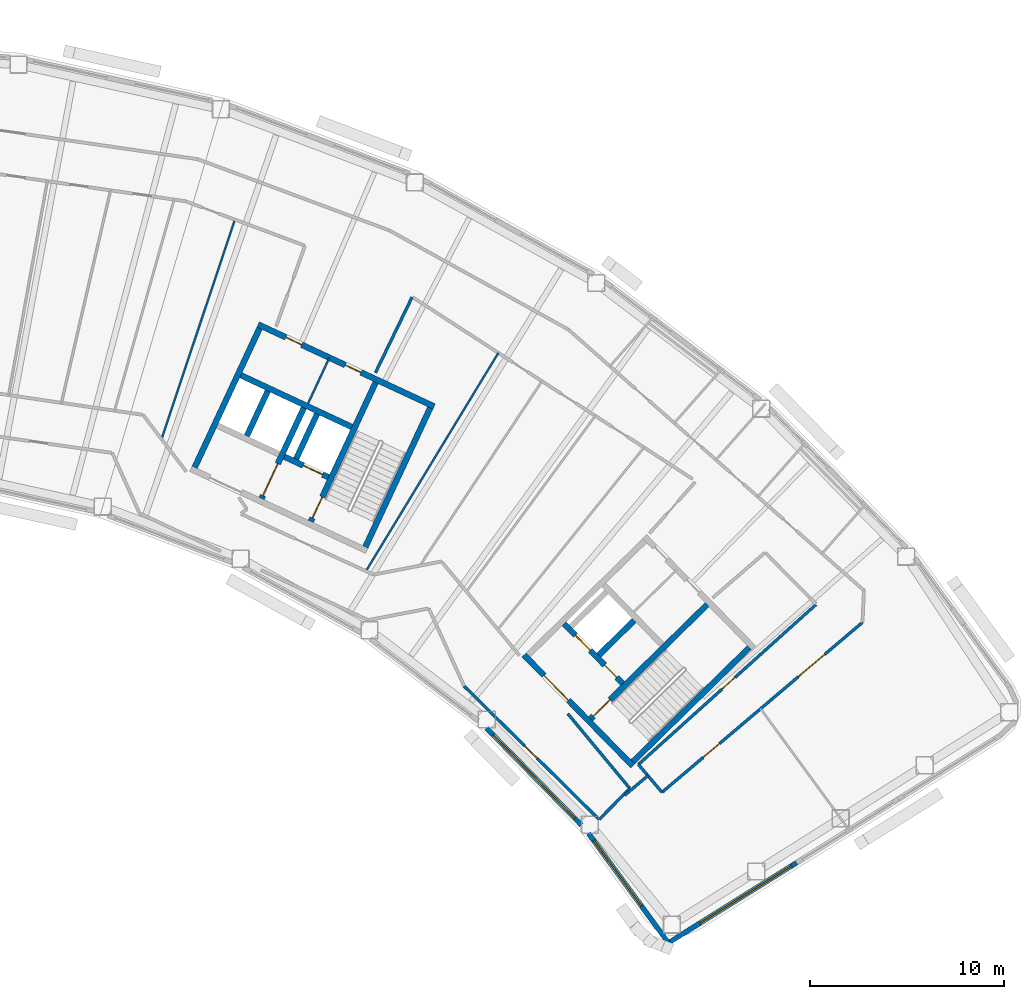
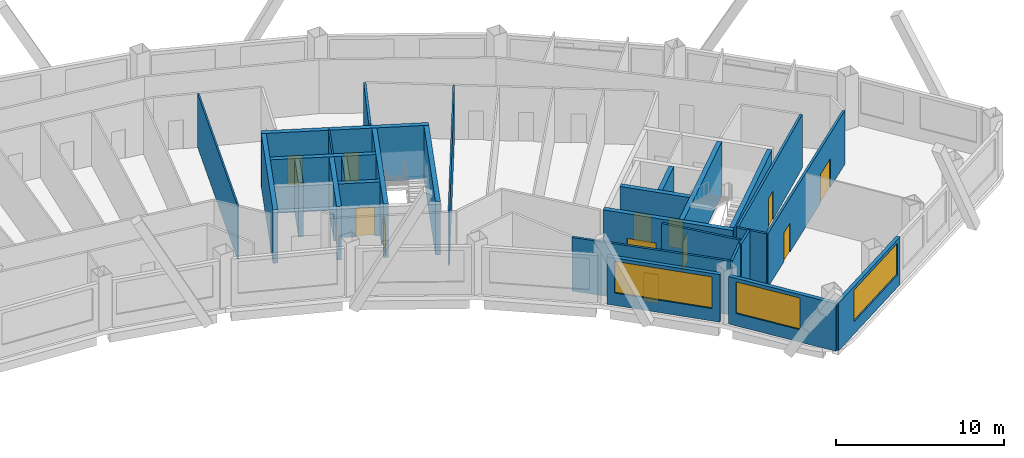
# One storey, part 9 of 14: 28 walls, 13 doors, 3 windows, 16 openings.
"""IFC4 building model written with IfcOpenShell, lengths in metres."""

from ifc_helpers import new_model, si_unit, direction, frame, frame_2d, origin, place, context, subcontext, project, spatial, rectangle, extrude, material, layer, layer_set, type_object, element, fill, save


model = new_model("IFC4")

# Units and contexts
model_context = context("Model", 3, precision=1e-05, world=origin(), true_north=direction((0.0, 1.0)))
body_context = subcontext(model_context, "Body", "Model", "MODEL_VIEW")
ifc_project = project(units=[si_unit("LENGTHUNIT", "METRE"), si_unit("AREAUNIT", "SQUARE_METRE"), si_unit("VOLUMEUNIT", "CUBIC_METRE"), si_unit("PLANEANGLEUNIT", "RADIAN"), si_unit("MASSUNIT", "GRAM", prefix="KILO")], contexts=[model_context])

# Site, building, storey
site_placement = place(None, origin())
site = spatial("IfcSite", under=ifc_project, at=site_placement, CompositionType="ELEMENT")
building_placement = place(site_placement, origin())
building = spatial("IfcBuilding", under=site, at=building_placement, Name="Tuul Gate Civic Tower", CompositionType="ELEMENT")
storey_placement = place(building_placement, frame((0.0, 0.0, 217.89990234375)))
storey = spatial("IfcBuildingStorey", under=building, at=storey_placement, Name="Level 49", CompositionType="ELEMENT", Elevation=217.89990234375)

# Wall, opening, door
ifc_material_1 = material(Name="Concrete C50/60", Category="concrete")
ifc_layer_1 = layer(ifc_material_1, 0.300048828125)
ifc_layer_set_1 = layer_set([ifc_layer_1], Name="Concrete C50/60")
wall_type_1 = type_object("IfcWallType", Name="Core wall C50/60", PredefinedType="SHEAR", material=ifc_layer_set_1)
wall_1_placement = place(storey_placement, frame((48.22509765625, -18.327880859375, 0.0), z_axis=(0.0, 0.0, 1.0), x_axis=(-0.700021979774, 0.714121297703, 0.0)))
wall_1 = element("IfcWall", 1, at=wall_1_placement, inside=storey, type_object=wall_type_1, Name="Core wall", PredefinedType="SHEAR", context=body_context, shape_type="SweptSolid", body=[
    extrude(rectangle(XDim=8.0, YDim=0.300048828125, at=frame_2d((4.0, 0.0))), origin(), (0.0, 0.0, 1.0), 3.900146484375),
])
opening_1_placement = place(wall_1_placement, frame((4.72509765625, 0.0, 0.0)))
opening_1 = element("IfcOpeningElement", 2, at=opening_1_placement, cuts=wall_1, Name="Opening LB-E1-LOBBY-1", PredefinedType="OPENING", context=body_context, shape_type="SweptSolid", body=[
    extrude(rectangle(XDim=1.800048828125, YDim=2.10009765625, at=frame_2d((0.89990234375, 1.050048828125))), frame((0.0, 0.16015625, 0.0), z_axis=(0.0, -1.0, 0.0), x_axis=(1.0, 0.0, 0.0)), (0.0, 0.0, 1.0), 0.320068359375),
])
ifc_material_2 = material(Name="Steel", Category="steel")
door_type_1 = type_object("IfcDoorType", Name="Lobby door", OperationType="DOUBLE_DOOR_SINGLE_SWING", PredefinedType="DOOR", material=ifc_material_2)
door_1_placement = place(opening_1_placement, frame((1.800048828125, 0.0, 0.0), z_axis=(0.0, 0.0, 1.0), x_axis=(-1.0, 0.0, 0.0)))
door_1 = element("IfcDoor", 3, at=door_1_placement, inside=storey, type_object=door_type_1, Name="Lobby door E1-LOBBY", OperationType="DOUBLE_DOOR_SINGLE_SWING", OverallHeight=2.10009765625, OverallWidth=1.800048828125, PredefinedType="DOOR", context=body_context, shape_type="SweptSolid", body=[
    extrude(rectangle(XDim=1.800048828125, YDim=2.10009765625, at=frame_2d((0.900146484375, 1.050048828125))), frame((0.0, 0.02490234375, 0.0), z_axis=(0.0, -1.0, 0.0), x_axis=(1.0, 0.0, 0.0)), (0.0, 0.0, 1.0), 0.050048828125),
])
fill(opening_1, door_1)

# Wall, openings, doors
wall_2_placement = place(storey_placement, frame((47.701904296875, -14.079833984375, 0.0), z_axis=(0.0, 0.0, 1.0), x_axis=(-0.700002721075, 0.714140175657, 0.0)))
wall_2 = element("IfcWall", 4, at=wall_2_placement, inside=storey, type_object=wall_type_1, Name="Core wall", PredefinedType="SHEAR", context=body_context, shape_type="SweptSolid", body=[
    extrude(rectangle(XDim=4.300048828125, YDim=0.300048828125, at=frame_2d((2.14990234375, 0.0))), origin(), (0.0, 0.0, 1.0), 3.900146484375),
])
opening_2_placement = place(wall_2_placement, frame((0.425048828125, 0.0, 0.0)))
opening_2 = element("IfcOpeningElement", 5, at=opening_2_placement, cuts=wall_2, Name="Opening FB-E1A1", PredefinedType="OPENING", context=body_context, shape_type="SweptSolid", body=[
    extrude(rectangle(XDim=0.89990234375, YDim=2.10009765625, at=frame_2d((0.449951171875, 1.050048828125))), frame((0.0, 0.16015625, 0.0), z_axis=(0.0, -1.0, 0.0), x_axis=(1.0, 0.0, 0.0)), (0.0, 0.0, 1.0), 0.320068359375),
])
opening_3_placement = place(wall_2_placement, frame((2.375, 0.0, 0.0)))
opening_3 = element("IfcOpeningElement", 6, at=opening_3_placement, cuts=wall_2, Name="Opening LD-M3", PredefinedType="OPENING", context=body_context, shape_type="SweptSolid", body=[
    extrude(rectangle(XDim=1.10009765625, YDim=2.10009765625, at=frame_2d((0.550048828125, 1.050048828125))), frame((0.0, 0.16015625, 0.0), z_axis=(0.0, -1.0, 0.0), x_axis=(1.0, 0.0, 0.0)), (0.0, 0.0, 1.0), 0.320068359375),
])
ifc_material_3 = material(Name="Stainless steel", Category="steel")
door_type_2 = type_object("IfcDoorType", Name="Landing door", OperationType="DOUBLE_DOOR_SLIDING", PredefinedType="DOOR", material=ifc_material_3)
door_2_placement = place(opening_3_placement, origin())
door_2 = element("IfcDoor", 7, at=door_2_placement, inside=storey, type_object=door_type_2, Name="Mid-rise lift M3 landing door", OperationType="DOUBLE_DOOR_SLIDING", OverallHeight=2.10009765625, OverallWidth=1.10009765625, PredefinedType="DOOR", context=body_context, shape_type="SweptSolid", body=[
    extrude(rectangle(XDim=1.10009765625, YDim=2.10009765625, at=frame_2d((0.550048828125, 1.050048828125))), frame((0.0, 0.02490234375, 0.0), z_axis=(0.0, -1.0, 0.0), x_axis=(1.0, 0.0, 0.0)), (0.0, 0.0, 1.0), 0.050048828125),
])
fill(opening_3, door_2)
ifc_material_4 = material(Name="Steel", Category="steel")
door_type_3 = type_object("IfcDoorType", Name="Store door", OperationType="NOTDEFINED", PredefinedType="DOOR", material=ifc_material_4)
door_3_placement = place(opening_2_placement, frame((0.89990234375, 0.0, 0.0), z_axis=(0.0, 0.0, 1.0), x_axis=(-1.0, 0.0, 0.0)))
door_3 = element("IfcDoor", 8, at=door_3_placement, inside=storey, type_object=door_type_3, Name="Store door E1A1", OperationType="SINGLE_SWING_RIGHT", OverallHeight=2.10009765625, OverallWidth=0.89990234375, PredefinedType="DOOR", context=body_context, shape_type="SweptSolid", body=[
    extrude(rectangle(XDim=0.89990234375, YDim=2.10009765625, at=frame_2d((0.449951171875, 1.050048828125))), frame((0.0, 0.02490234375, 0.0), z_axis=(0.0, -1.0, 0.0), x_axis=(1.0, 0.0, 0.0)), (0.0, 0.0, 1.0), 0.050048828125),
])
fill(opening_2, door_3)

# Wall
wall_3_placement = place(storey_placement, frame((48.227294921875, -18.115966796875, 0.0), z_axis=(0.0, 0.0, 1.0), x_axis=(0.714105315431, 0.700038283577, 0.0)))
element("IfcWall", 9, at=wall_3_placement, inside=storey, type_object=wall_type_1, Name="Core wall", PredefinedType="SHEAR", context=body_context, shape_type="SweptSolid", body=[
    extrude(rectangle(XDim=8.400146484375, YDim=0.300048828125, at=frame_2d((4.2001953125, 0.0))), origin(), (0.0, 0.0, 1.0), 3.900146484375),
])

# Wall, opening, door
wall_4_placement = place(storey_placement, frame((46.05712890625, -15.902099609375, 0.0), z_axis=(0.0, 0.0, 1.0), x_axis=(0.714134086973, 0.700008932674, 0.0)))
wall_4 = element("IfcWall", 10, at=wall_4_placement, inside=storey, type_object=wall_type_1, Name="Core wall", PredefinedType="SHEAR", context=body_context, shape_type="SweptSolid", body=[
    extrude(rectangle(XDim=8.400146484375, YDim=0.300048828125, at=frame_2d((4.2001953125, 0.0))), origin(), (0.0, 0.0, 1.0), 3.900146484375),
])
opening_4_placement = place(wall_4_placement, frame((0.199951171875, 0.0, 0.0)))
opening_4 = element("IfcOpeningElement", 11, at=opening_4_placement, cuts=wall_4, Name="Opening SD-ST-3", PredefinedType="OPENING", context=body_context, shape_type="SweptSolid", body=[
    extrude(rectangle(XDim=1.199951171875, YDim=2.10009765625, at=frame_2d((0.60009765625, 1.050048828125))), frame((0.0, 0.16015625, 0.0), z_axis=(0.0, -1.0, 0.0), x_axis=(1.0, 0.0, 0.0)), (0.0, 0.0, 1.0), 0.320068359375),
])
ifc_material_5 = material(Name="Steel", Category="steel")
door_type_4 = type_object("IfcDoorType", Name="Stair door", OperationType="NOTDEFINED", PredefinedType="DOOR", material=ifc_material_5)
door_4_placement = place(opening_4_placement, origin())
door_4 = element("IfcDoor", 12, at=door_4_placement, inside=storey, type_object=door_type_4, Name="Stair door ST-3", OperationType="SINGLE_SWING_LEFT", OverallHeight=2.10009765625, OverallWidth=1.199951171875, PredefinedType="DOOR", context=body_context, shape_type="SweptSolid", body=[
    extrude(rectangle(XDim=1.199951171875, YDim=2.10009765625, at=frame_2d((0.60009765625, 1.050048828125))), frame((0.0, 0.02490234375, 0.0), z_axis=(0.0, -1.0, 0.0), x_axis=(1.0, 0.0, 0.0)), (0.0, 0.0, 1.0), 0.050048828125),
])
fill(opening_4, door_4)

# Wall
wall_5_placement = place(storey_placement, frame((46.47900390625, -12.617919921875, 0.0), z_axis=(0.0, 0.0, 1.0), x_axis=(0.71410944159, 0.700034074479, 0.0)))
element("IfcWall", 13, at=wall_5_placement, inside=storey, type_object=wall_type_1, Name="Core wall", PredefinedType="SHEAR", context=body_context, shape_type="SweptSolid", body=[
    extrude(rectangle(XDim=2.5498046875, YDim=0.300048828125, at=frame_2d((1.27490234375, 0.0))), origin(), (0.0, 0.0, 1.0), 3.900146484375),
])

# Wall, opening, door
wall_6_placement = place(storey_placement, frame((32.545654296875, -3.456787109375, 0.0), z_axis=(0.0, 0.0, 1.0), x_axis=(-0.906300357825, 0.42263419337, 0.0)))
wall_6 = element("IfcWall", 14, at=wall_6_placement, inside=storey, type_object=wall_type_1, Name="Core wall", PredefinedType="SHEAR", context=body_context, shape_type="SweptSolid", body=[
    extrude(rectangle(XDim=2.500244140625, YDim=0.300048828125, at=frame_2d((1.25, 0.0))), origin(), (0.0, 0.0, 1.0), 3.900146484375),
])
opening_5_placement = place(wall_6_placement, frame((0.324951171875, 0.0, 0.0)))
opening_5 = element("IfcOpeningElement", 15, at=opening_5_placement, cuts=wall_6, Name="Opening LD-FF-2", PredefinedType="OPENING", context=body_context, shape_type="SweptSolid", body=[
    extrude(rectangle(XDim=1.10009765625, YDim=2.10009765625, at=frame_2d((0.550048828125, 1.050048828125))), frame((0.0, 0.16015625, 0.0), z_axis=(0.0, -1.0, 0.0), x_axis=(1.0, 0.0, 0.0)), (0.0, 0.0, 1.0), 0.320068359375),
])
door_5_placement = place(opening_5_placement, origin())
door_5 = element("IfcDoor", 16, at=door_5_placement, inside=storey, type_object=door_type_2, Name="Fire-fighting lift FF-2 landing door", OperationType="DOUBLE_DOOR_SLIDING", OverallHeight=2.10009765625, OverallWidth=1.10009765625, PredefinedType="DOOR", context=body_context, shape_type="SweptSolid", body=[
    extrude(rectangle(XDim=1.10009765625, YDim=2.10009765625, at=frame_2d((0.550048828125, 1.050048828125))), frame((0.0, 0.02490234375, 0.0), z_axis=(0.0, -1.0, 0.0), x_axis=(1.0, 0.0, 0.0)), (0.0, 0.0, 1.0), 0.050048828125),
])
fill(opening_5, door_5)

# Wall
wall_7_placement = place(storey_placement, frame((33.75, -0.873779296875, 0.0), z_axis=(0.0, 0.0, 1.0), x_axis=(-0.906300917592, 0.422632992999, 0.0)))
element("IfcWall", 17, at=wall_7_placement, inside=storey, type_object=wall_type_1, Name="Core wall", PredefinedType="SHEAR", context=body_context, shape_type="SweptSolid", body=[
    extrude(rectangle(XDim=6.300048828125, YDim=0.300048828125, at=frame_2d((3.14990234375, 0.0))), origin(), (0.0, 0.0, 1.0), 3.900146484375),
])

# Wall, openings, doors
wall_8_placement = place(storey_placement, frame((37.993408203125, 0.181884765625, 0.0), z_axis=(0.0, 0.0, 1.0), x_axis=(-0.906310338845, 0.422612789327, 0.0)))
wall_8 = element("IfcWall", 18, at=wall_8_placement, inside=storey, type_object=wall_type_1, Name="Core wall", PredefinedType="SHEAR", context=body_context, shape_type="SweptSolid", body=[
    extrude(rectangle(XDim=9.999755859375, YDim=0.300048828125, at=frame_2d((5.0, 0.0))), origin(), (0.0, 0.0, 1.0), 3.900146484375),
])
opening_6_placement = place(wall_8_placement, frame((4.14990234375, 0.0, 0.0)))
opening_6 = element("IfcOpeningElement", 19, at=opening_6_placement, cuts=wall_8, Name="Opening R-D47", PredefinedType="OPENING", context=body_context, shape_type="SweptSolid", body=[
    extrude(rectangle(XDim=0.89990234375, YDim=2.10009765625, at=frame_2d((0.449951171875, 1.050048828125))), frame((0.0, 0.16015625, 0.0), z_axis=(0.0, -1.0, 0.0), x_axis=(1.0, 0.0, 0.0)), (0.0, 0.0, 1.0), 0.320068359375),
])
opening_7_placement = place(wall_8_placement, frame((7.52490234375, 0.0, 0.0)))
opening_7 = element("IfcOpeningElement", 20, at=opening_7_placement, cuts=wall_8, Name="Opening R-D48", PredefinedType="OPENING", context=body_context, shape_type="SweptSolid", body=[
    extrude(rectangle(XDim=0.89990234375, YDim=2.10009765625, at=frame_2d((0.449951171875, 1.050048828125))), frame((0.0, 0.16015625, 0.0), z_axis=(0.0, -1.0, 0.0), x_axis=(1.0, 0.0, 0.0)), (0.0, 0.0, 1.0), 0.320068359375),
])
ifc_material_6 = material(Name="Timber door leaf", Category="wood")
door_type_5 = type_object("IfcDoorType", Name="Door D09", OperationType="NOTDEFINED", PredefinedType="DOOR", material=ifc_material_6)
door_6_placement = place(opening_6_placement, origin())
door_6 = element("IfcDoor", 21, at=door_6_placement, inside=storey, type_object=door_type_5, Name="Door R-D47", OperationType="SINGLE_SWING_LEFT", OverallHeight=2.10009765625, OverallWidth=0.89990234375, PredefinedType="DOOR", context=body_context, shape_type="SweptSolid", body=[
    extrude(rectangle(XDim=0.89990234375, YDim=2.10009765625, at=frame_2d((0.449951171875, 1.050048828125))), frame((0.0, 0.02490234375, 0.0), z_axis=(0.0, -1.0, 0.0), x_axis=(1.0, 0.0, 0.0)), (0.0, 0.0, 1.0), 0.050048828125),
])
fill(opening_6, door_6)
door_7_placement = place(opening_7_placement, origin())
door_7 = element("IfcDoor", 22, at=door_7_placement, inside=storey, type_object=door_type_5, Name="Door R-D48", OperationType="SINGLE_SWING_RIGHT", OverallHeight=2.10009765625, OverallWidth=0.89990234375, PredefinedType="DOOR", context=body_context, shape_type="SweptSolid", body=[
    extrude(rectangle(XDim=0.89990234375, YDim=2.10009765625, at=frame_2d((0.449951171875, 1.050048828125))), frame((0.0, 0.02490234375, 0.0), z_axis=(0.0, -1.0, 0.0), x_axis=(1.0, 0.0, 0.0)), (0.0, 0.0, 1.0), 0.050048828125),
])
fill(opening_7, door_7)

# Wall
wall_9_placement = place(storey_placement, frame((34.455810546875, -7.05078125, 0.0), z_axis=(0.0, 0.0, 1.0), x_axis=(0.422570768258, 0.906329932096, 0.0)))
element("IfcWall", 23, at=wall_9_placement, inside=storey, type_object=wall_type_1, Name="Core wall", PredefinedType="SHEAR", context=body_context, shape_type="SweptSolid", body=[
    extrude(rectangle(XDim=7.900146484375, YDim=0.300048828125, at=frame_2d((3.9501953125, 0.0))), origin(), (0.0, 0.0, 1.0), 3.900146484375),
])

# Wall, opening, door
wall_10_placement = place(storey_placement, frame((31.646240234375, -5.740478515625, 0.0), z_axis=(0.0, 0.0, 1.0), x_axis=(0.422582604137, 0.906324413596, 0.0)))
wall_10 = element("IfcWall", 24, at=wall_10_placement, inside=storey, type_object=wall_type_1, Name="Core wall", PredefinedType="SHEAR", context=body_context, shape_type="SweptSolid", body=[
    extrude(rectangle(XDim=7.89990234375, YDim=0.300048828125, at=frame_2d((3.949951171875, 0.0))), origin(), (0.0, 0.0, 1.0), 3.900146484375),
])
opening_8_placement = place(wall_10_placement, frame((0.199951171875, 0.0, 0.0)))
opening_8 = element("IfcOpeningElement", 25, at=opening_8_placement, cuts=wall_10, Name="Opening SD-ST-4", PredefinedType="OPENING", context=body_context, shape_type="SweptSolid", body=[
    extrude(rectangle(XDim=1.199951171875, YDim=2.10009765625, at=frame_2d((0.60009765625, 1.050048828125))), frame((0.0, 0.16015625, 0.0), z_axis=(0.0, -1.0, 0.0), x_axis=(1.0, 0.0, 0.0)), (0.0, 0.0, 1.0), 0.320068359375),
])
door_8_placement = place(opening_8_placement, origin())
door_8 = element("IfcDoor", 26, at=door_8_placement, inside=storey, type_object=door_type_4, Name="Stair door ST-4", OperationType="SINGLE_SWING_LEFT", OverallHeight=2.10009765625, OverallWidth=1.199951171875, PredefinedType="DOOR", context=body_context, shape_type="SweptSolid", body=[
    extrude(rectangle(XDim=1.199951171875, YDim=2.10009765625, at=frame_2d((0.60009765625, 1.050048828125))), frame((0.0, 0.02490234375, 0.0), z_axis=(0.0, -1.0, 0.0), x_axis=(1.0, 0.0, 0.0)), (0.0, 0.0, 1.0), 0.050048828125),
])
fill(opening_8, door_8)

# Wall
wall_11_placement = place(storey_placement, frame((30.886962890625, -2.517822265625, 0.0), z_axis=(0.0, 0.0, 1.0), x_axis=(0.422612891016, 0.906310291427, 0.0)))
element("IfcWall", 27, at=wall_11_placement, inside=storey, type_object=wall_type_1, Name="Core wall", PredefinedType="SHEAR", context=body_context, shape_type="SweptSolid", body=[
    extrude(rectangle(XDim=2.550048828125, YDim=0.300048828125, at=frame_2d((1.27490234375, 0.0))), origin(), (0.0, 0.0, 1.0), 3.900146484375),
])

# Wall, opening, door
wall_12_placement = place(storey_placement, frame((29.108642578125, -4.557373046875, 0.0), z_axis=(0.0, 0.0, 1.0), x_axis=(0.422566235356, 0.90633204552, 0.0)))
wall_12 = element("IfcWall", 28, at=wall_12_placement, inside=storey, type_object=wall_type_1, Name="Core wall", PredefinedType="SHEAR", context=body_context, shape_type="SweptSolid", body=[
    extrude(rectangle(XDim=5.150146484375, YDim=0.300048828125, at=frame_2d((2.5751953125, 0.0))), origin(), (0.0, 0.0, 1.0), 3.900146484375),
])
opening_9_placement = place(wall_12_placement, frame((0.175048828125, 0.0, 0.0)))
opening_9 = element("IfcOpeningElement", 29, at=opening_9_placement, cuts=wall_12, Name="Opening LB-E3-FLOBBY-1", PredefinedType="OPENING", context=body_context, shape_type="SweptSolid", body=[
    extrude(rectangle(XDim=1.800048828125, YDim=2.10009765625, at=frame_2d((0.89990234375, 1.050048828125))), frame((0.0, 0.16015625, 0.0), z_axis=(0.0, -1.0, 0.0), x_axis=(1.0, 0.0, 0.0)), (0.0, 0.0, 1.0), 0.320068359375),
])
door_9_placement = place(opening_9_placement, frame((1.800048828125, 0.0, 0.0), z_axis=(0.0, 0.0, 1.0), x_axis=(-1.0, 0.0, 0.0)))
door_9 = element("IfcDoor", 30, at=door_9_placement, inside=storey, type_object=door_type_1, Name="Lobby door E3-FLOBBY", OperationType="DOUBLE_DOOR_SINGLE_SWING", OverallHeight=2.10009765625, OverallWidth=1.800048828125, PredefinedType="DOOR", context=body_context, shape_type="SweptSolid", body=[
    extrude(rectangle(XDim=1.800048828125, YDim=2.10009765625, at=frame_2d((0.900146484375, 1.050048828125))), frame((0.0, 0.02490234375, 0.0), z_axis=(0.0, -1.0, 0.0), x_axis=(1.0, 0.0, 0.0)), (0.0, 0.0, 1.0), 0.050048828125),
])
fill(opening_9, door_9)

# Walls
wall_13_placement = place(storey_placement, frame((28.349365234375, -1.33447265625, 0.0), z_axis=(0.0, 0.0, 1.0), x_axis=(0.422612891016, 0.906310291427, 0.0)))
element("IfcWall", 31, at=wall_13_placement, inside=storey, type_object=wall_type_1, Name="Core wall", PredefinedType="SHEAR", context=body_context, shape_type="SweptSolid", body=[
    extrude(rectangle(XDim=2.550048828125, YDim=0.300048828125, at=frame_2d((1.27490234375, 0.0))), origin(), (0.0, 0.0, 1.0), 3.900146484375),
])
wall_14_placement = place(storey_placement, frame((25.66455078125, -2.951416015625, 0.0), z_axis=(0.0, 0.0, 1.0), x_axis=(0.422582604137, 0.906324413596, 0.0)))
element("IfcWall", 32, at=wall_14_placement, inside=storey, type_object=wall_type_1, Name="Core wall", PredefinedType="SHEAR", context=body_context, shape_type="SweptSolid", body=[
    extrude(rectangle(XDim=7.89990234375, YDim=0.300048828125, at=frame_2d((3.949951171875, 0.0))), origin(), (0.0, 0.0, 1.0), 3.900146484375),
])

# Wall, opening, door
ifc_material_7 = material(Name="Gypsum board partition")
ifc_layer_2 = layer(ifc_material_7, 0.14990234375)
ifc_layer_set_2 = layer_set([ifc_layer_2], Name="Gypsum board partition")
wall_type_2 = type_object("IfcWallType", Name="Corridor wall P150", PredefinedType="PARTITIONING", material=ifc_layer_set_2)
wall_15_placement = place(storey_placement, frame((39.54248046875, -14.2216796875, 0.0), z_axis=(0.0, 0.0, 1.0), x_axis=(0.711267663184, -0.702921269638, 0.0)))
wall_15 = element("IfcWall", 33, at=wall_15_placement, inside=storey, type_object=wall_type_2, Name="p031", PredefinedType="PARTITIONING", context=body_context, shape_type="SweptSolid", body=[
    extrude(rectangle(XDim=9.769775390625, YDim=0.14990234375, at=frame_2d((4.884765625, 0.0))), origin(), (0.0, 0.0, 1.0), 3.900146484375),
])
opening_10_placement = place(wall_15_placement, frame((4.385498046875, 0.0, 0.0)))
opening_10 = element("IfcOpeningElement", 34, at=opening_10_placement, cuts=wall_15, Name="Opening R-D07", PredefinedType="OPENING", context=body_context, shape_type="SweptSolid", body=[
    extrude(rectangle(XDim=0.89990234375, YDim=2.10009765625, at=frame_2d((0.449951171875, 1.050048828125))), frame((0.0, 0.0849609375, 0.0), z_axis=(0.0, -1.0, 0.0), x_axis=(1.0, 0.0, 0.0)), (0.0, 0.0, 1.0), 0.169921875),
])
door_10_placement = place(opening_10_placement, origin())
door_10 = element("IfcDoor", 35, at=door_10_placement, inside=storey, type_object=door_type_5, Name="Door R-D07", OperationType="SINGLE_SWING_RIGHT", OverallHeight=2.10009765625, OverallWidth=0.89990234375, PredefinedType="DOOR", context=body_context, shape_type="SweptSolid", body=[
    extrude(rectangle(XDim=0.89990234375, YDim=2.10009765625, at=frame_2d((0.449951171875, 1.050048828125))), frame((0.0, 0.02490234375, 0.0), z_axis=(0.0, -1.0, 0.0), x_axis=(1.0, 0.0, 0.0)), (0.0, 0.0, 1.0), 0.050048828125),
])
fill(opening_10, door_10)

# Walls
wall_16_placement = place(storey_placement, frame((47.816650390625, -19.8369140625, 0.0), z_axis=(0.0, 0.0, 1.0), x_axis=(0.762844443922, 0.64658205541, 0.0)))
element("IfcWall", 36, at=wall_16_placement, inside=storey, type_object=wall_type_2, Name="p032", PredefinedType="PARTITIONING", context=body_context, shape_type="SweptSolid", body=[
    extrude(rectangle(XDim=1.55615234375, YDim=0.14990234375, at=frame_2d((0.778076171875, 0.0))), origin(), (0.0, 0.0, 1.0), 3.900146484375),
])
wall_17_placement = place(storey_placement, frame((46.492431640625, -21.089111328125, 0.0), z_axis=(0.0, 0.0, 1.0), x_axis=(0.702914289472, 0.711274561373, 0.0)))
element("IfcWall", 37, at=wall_17_placement, inside=storey, type_object=wall_type_2, Name="p041", PredefinedType="PARTITIONING", context=body_context, shape_type="SweptSolid", body=[
    extrude(rectangle(XDim=2.24853515625, YDim=0.14990234375, at=frame_2d((1.124267578125, 0.0))), origin(), (0.0, 0.0, 1.0), 3.900146484375),
])
wall_18_placement = place(storey_placement, frame((44.879150390625, -15.640625, 0.0), z_axis=(0.0, 0.0, 1.0), x_axis=(0.638680118875, -0.769472355419, 0.0)))
element("IfcWall", 38, at=wall_18_placement, inside=storey, type_object=wall_type_2, Name="p043", PredefinedType="PARTITIONING", context=body_context, shape_type="SweptSolid", body=[
    extrude(rectangle(XDim=5.000732421875, YDim=0.14990234375, at=frame_2d((2.50048828125, 0.0))), origin(), (0.0, 0.0, 1.0), 3.900146484375),
])

# Wall, opening, door
wall_19_placement = place(storey_placement, frame((48.515380859375, -18.253662109375, 0.0), z_axis=(0.0, 0.0, 1.0), x_axis=(0.743122459302, 0.669155445678, 0.0)))
wall_19 = element("IfcWall", 39, at=wall_19_placement, inside=storey, type_object=wall_type_2, Name="p047", PredefinedType="PARTITIONING", context=body_context, shape_type="SweptSolid", body=[
    extrude(rectangle(XDim=12.304931640625, YDim=0.14990234375, at=frame_2d((6.15234375, 0.0))), origin(), (0.0, 0.0, 1.0), 3.900146484375),
])
opening_11_placement = place(wall_19_placement, frame((5.802001953125, 0.0, 0.0)))
opening_11 = element("IfcOpeningElement", 40, at=opening_11_placement, cuts=wall_19, Name="Opening R-D11", PredefinedType="OPENING", context=body_context, shape_type="SweptSolid", body=[
    extrude(rectangle(XDim=0.89990234375, YDim=2.10009765625, at=frame_2d((0.449951171875, 1.050048828125))), frame((0.0, 0.0849609375, 0.0), z_axis=(0.0, -1.0, 0.0), x_axis=(1.0, 0.0, 0.0)), (0.0, 0.0, 1.0), 0.169921875),
])
door_11_placement = place(opening_11_placement, frame((0.89990234375, 0.0, 0.0), z_axis=(0.0, 0.0, 1.0), x_axis=(-1.0, 0.0, 0.0)))
door_11 = element("IfcDoor", 41, at=door_11_placement, inside=storey, type_object=door_type_5, Name="Door R-D11", OperationType="SINGLE_SWING_LEFT", OverallHeight=2.10009765625, OverallWidth=0.89990234375, PredefinedType="DOOR", context=body_context, shape_type="SweptSolid", body=[
    extrude(rectangle(XDim=0.89990234375, YDim=2.10009765625, at=frame_2d((0.449951171875, 1.050048828125))), frame((0.0, 0.02490234375, 0.0), z_axis=(0.0, -1.0, 0.0), x_axis=(1.0, 0.0, 0.0)), (0.0, 0.0, 1.0), 0.050048828125),
])
fill(opening_11, door_11)

# Walls
wall_20_placement = place(storey_placement, frame((48.515380859375, -18.254638671875, 0.0), z_axis=(0.0, 0.0, 1.0), x_axis=(0.646576799747, -0.762848898556, 0.0)))
element("IfcWall", 42, at=wall_20_placement, inside=storey, type_object=wall_type_2, Name="p048", PredefinedType="PARTITIONING", context=body_context, shape_type="SweptSolid", body=[
    extrude(rectangle(XDim=1.879150390625, YDim=0.14990234375, at=frame_2d((0.939453125, 0.0))), origin(), (0.0, 0.0, 1.0), 3.900146484375),
])
wall_21_placement = place(storey_placement, frame((34.973388671875, 1.922119140625, 0.0), z_axis=(0.0, 0.0, 1.0), x_axis=(0.436176291331, 0.899861235347, 0.0)))
element("IfcWall", 43, at=wall_21_placement, inside=storey, type_object=wall_type_2, Name="p059", PredefinedType="PARTITIONING", context=body_context, shape_type="SweptSolid", body=[
    extrude(rectangle(XDim=4.313232421875, YDim=0.14990234375, at=frame_2d((2.15673828125, 0.0))), origin(), (0.0, 0.0, 1.0), 3.900146484375),
])

# Wall, openings, doors
wall_22_placement = place(storey_placement, frame((49.731689453125, -19.6884765625, 0.0), z_axis=(0.0, 0.0, 1.0), x_axis=(0.762825626079, 0.646604256247, 0.0)))
wall_22 = element("IfcWall", 44, at=wall_22_placement, inside=storey, type_object=wall_type_2, Name="p110", PredefinedType="PARTITIONING", context=body_context, shape_type="SweptSolid", body=[
    extrude(rectangle(XDim=13.534423828125, YDim=0.14990234375, at=frame_2d((6.76708984375, 0.0))), origin(), (0.0, 0.0, 1.0), 3.900146484375),
])
opening_12_placement = place(wall_22_placement, frame((9.1953125, 0.0, 0.0)))
opening_12 = element("IfcOpeningElement", 45, at=opening_12_placement, cuts=wall_22, Name="Opening R-D38", PredefinedType="OPENING", context=body_context, shape_type="SweptSolid", body=[
    extrude(rectangle(XDim=1.800048828125, YDim=2.10009765625, at=frame_2d((0.89990234375, 1.050048828125))), frame((0.0, 0.0849609375, 0.0), z_axis=(0.0, -1.0, 0.0), x_axis=(1.0, 0.0, 0.0)), (0.0, 0.0, 1.0), 0.169921875),
])
opening_13_placement = place(wall_22_placement, frame((2.778076171875, 0.0, 0.0)))
opening_13 = element("IfcOpeningElement", 46, at=opening_13_placement, cuts=wall_22, Name="Opening R-D39", PredefinedType="OPENING", context=body_context, shape_type="SweptSolid", body=[
    extrude(rectangle(XDim=1.10009765625, YDim=2.10009765625, at=frame_2d((0.550048828125, 1.050048828125))), frame((0.0, 0.0849609375, 0.0), z_axis=(0.0, -1.0, 0.0), x_axis=(1.0, 0.0, 0.0)), (0.0, 0.0, 1.0), 0.169921875),
])
ifc_material_8 = material(Name="Timber door leaf", Category="wood")
door_type_6 = type_object("IfcDoorType", Name="Door D11", OperationType="NOTDEFINED", PredefinedType="DOOR", material=ifc_material_8)
door_12_placement = place(opening_13_placement, frame((1.10009765625, 0.0, 0.0), z_axis=(0.0, 0.0, 1.0), x_axis=(-1.0, 0.0, 0.0)))
door_12 = element("IfcDoor", 47, at=door_12_placement, inside=storey, type_object=door_type_6, Name="Door R-D39", OperationType="SINGLE_SWING_LEFT", OverallHeight=2.10009765625, OverallWidth=1.10009765625, PredefinedType="DOOR", context=body_context, shape_type="SweptSolid", body=[
    extrude(rectangle(XDim=1.10009765625, YDim=2.10009765625, at=frame_2d((0.550048828125, 1.050048828125))), frame((0.0, 0.02490234375, 0.0), z_axis=(0.0, -1.0, 0.0), x_axis=(1.0, 0.0, 0.0)), (0.0, 0.0, 1.0), 0.050048828125),
])
fill(opening_13, door_12)
ifc_material_9 = material(Name="Timber door leaf, double", Category="wood")
door_type_7 = type_object("IfcDoorType", Name="Door D18", OperationType="DOUBLE_DOOR_SINGLE_SWING", PredefinedType="DOOR", material=ifc_material_9)
door_13_placement = place(opening_12_placement, frame((1.800048828125, 0.0, 0.0), z_axis=(0.0, 0.0, 1.0), x_axis=(-1.0, 0.0, 0.0)))
door_13 = element("IfcDoor", 48, at=door_13_placement, inside=storey, type_object=door_type_7, Name="Door R-D38", OperationType="DOUBLE_DOOR_SINGLE_SWING", OverallHeight=2.10009765625, OverallWidth=1.800048828125, PredefinedType="DOOR", context=body_context, shape_type="SweptSolid", body=[
    extrude(rectangle(XDim=1.800048828125, YDim=2.10009765625, at=frame_2d((0.900146484375, 1.050048828125))), frame((0.0, 0.02490234375, 0.0), z_axis=(0.0, -1.0, 0.0), x_axis=(1.0, 0.0, 0.0)), (0.0, 0.0, 1.0), 0.050048828125),
])
fill(opening_12, door_13)

# Wall, opening, window
ifc_material_10 = material(Name="Precast concrete C40/50", Category="concrete")
ifc_layer_3 = layer(ifc_material_10, 0.25)
ifc_layer_set_3 = layer_set([ifc_layer_3], Name="Precast concrete C40/50")
wall_type_3 = type_object("IfcWallType", Name="External wall", PredefinedType="STANDARD", material=ifc_layer_set_3)
wall_23_placement = place(storey_placement, frame((40.69287109375, -16.387939453125, 0.0), z_axis=(0.0, 0.0, 1.0), x_axis=(0.700029726531, -0.714113703813, 0.0)))
wall_23 = element("IfcWall", 49, at=wall_23_placement, inside=storey, type_object=wall_type_3, Name="External wall", PredefinedType="STANDARD", context=body_context, shape_type="SweptSolid", body=[
    extrude(rectangle(XDim=6.968505859375, YDim=0.25, at=frame_2d((3.484375, 0.0))), origin(), (0.0, 0.0, 1.0), 3.4501953125),
])
opening_14_placement = place(wall_23_placement, frame((0.484130859375, 0.0, 0.89990234375)))
opening_14 = element("IfcOpeningElement", 50, at=opening_14_placement, cuts=wall_23, Name="Opening W26", PredefinedType="OPENING", context=body_context, shape_type="SweptSolid", body=[
    extrude(rectangle(XDim=6.0, YDim=2.300048828125, at=frame_2d((3.0, 1.14990234375))), frame((0.0, 0.135009765625, 0.0), z_axis=(0.0, -1.0, 0.0), x_axis=(1.0, 0.0, 0.0)), (0.0, 0.0, 1.0), 0.27001953125),
])
ifc_material_11 = material(Name="Glass", Category="glass")
window_type_1 = type_object("IfcWindowType", Name="Window W26 6000 x 2300", PartitioningType="SINGLE_PANEL", PredefinedType="WINDOW", material=ifc_material_11)
window_1_placement = place(opening_14_placement, origin())
window_1 = element("IfcWindow", 51, at=window_1_placement, inside=storey, type_object=window_type_1, Name="Window", OverallHeight=2.300048828125, OverallWidth=6.0, PartitioningType="SINGLE_PANEL", PredefinedType="WINDOW", context=body_context, shape_type="SweptSolid", body=[
    extrude(rectangle(XDim=6.0, YDim=2.300048828125, at=frame_2d((3.0, 1.14990234375))), frame((0.0, 0.030029296875, 0.0), z_axis=(0.0, -1.0, 0.0), x_axis=(1.0, 0.0, 0.0)), (0.0, 0.0, 1.0), 0.06005859375),
])
fill(opening_14, window_1)

wall_24_placement = place(storey_placement, frame((45.947265625, -21.80908203125, 0.0), z_axis=(0.0, 0.0, 1.0), x_axis=(0.589742622716, -0.807591257353, 0.0)))
wall_24 = element("IfcWall", 52, at=wall_24_placement, inside=storey, type_object=wall_type_3, Name="External wall", PredefinedType="STANDARD", context=body_context, shape_type="SweptSolid", body=[
    extrude(rectangle(XDim=6.971923828125, YDim=0.25, at=frame_2d((3.48583984375, 0.0))), origin(), (0.0, 0.0, 1.0), 3.4501953125),
])
opening_15_placement = place(wall_24_placement, frame((0.465576171875, 0.0, 0.89990234375)))
opening_15 = element("IfcOpeningElement", 53, at=opening_15_placement, cuts=wall_24, Name="Opening W25", PredefinedType="OPENING", context=body_context, shape_type="SweptSolid", body=[
    extrude(rectangle(XDim=4.14990234375, YDim=2.300048828125, at=frame_2d((2.074951171875, 1.14990234375))), frame((0.0, 0.135009765625, 0.0), z_axis=(0.0, -1.0, 0.0), x_axis=(1.0, 0.0, 0.0)), (0.0, 0.0, 1.0), 0.27001953125),
])
ifc_material_12 = material(Name="Glass", Category="glass")
window_type_2 = type_object("IfcWindowType", Name="Window W25 4150 x 2300", PartitioningType="SINGLE_PANEL", PredefinedType="WINDOW", material=ifc_material_12)
window_2_placement = place(opening_15_placement, origin())
window_2 = element("IfcWindow", 54, at=window_2_placement, inside=storey, type_object=window_type_2, Name="Window", OverallHeight=2.300048828125, OverallWidth=4.14990234375, PartitioningType="SINGLE_PANEL", PredefinedType="WINDOW", context=body_context, shape_type="SweptSolid", body=[
    extrude(rectangle(XDim=4.14990234375, YDim=2.300048828125, at=frame_2d((2.074951171875, 1.14990234375))), frame((0.0, 0.030029296875, 0.0), z_axis=(0.0, -1.0, 0.0), x_axis=(1.0, 0.0, 0.0)), (0.0, 0.0, 1.0), 0.06005859375),
])
fill(opening_15, window_2)

wall_25_placement = place(storey_placement, frame((50.058837890625, -27.439453125, 0.0), z_axis=(0.0, 0.0, 1.0), x_axis=(0.848052898081, 0.529911579471, 0.0)))
wall_25 = element("IfcWall", 55, at=wall_25_placement, inside=storey, type_object=wall_type_3, Name="External wall", PredefinedType="STANDARD", context=body_context, shape_type="SweptSolid", body=[
    extrude(rectangle(XDim=7.78759765625, YDim=0.25, at=frame_2d((3.893798828125, 0.0))), origin(), (0.0, 0.0, 1.0), 3.4501953125),
])
opening_16_placement = place(wall_25_placement, frame((1.92138671875, 0.0, 0.89990234375)))
opening_16 = element("IfcOpeningElement", 56, at=opening_16_placement, cuts=wall_25, Name="Opening W24", PredefinedType="OPENING", context=body_context, shape_type="SweptSolid", body=[
    extrude(rectangle(XDim=5.550048828125, YDim=2.300048828125, at=frame_2d((2.77490234375, 1.14990234375))), frame((0.0, 0.135009765625, 0.0), z_axis=(0.0, -1.0, 0.0), x_axis=(1.0, 0.0, 0.0)), (0.0, 0.0, 1.0), 0.27001953125),
])
ifc_material_13 = material(Name="Glass", Category="glass")
window_type_3 = type_object("IfcWindowType", Name="Window W24 5550 x 2300", PartitioningType="SINGLE_PANEL", PredefinedType="WINDOW", material=ifc_material_13)
window_3_placement = place(opening_16_placement, origin())
window_3 = element("IfcWindow", 57, at=window_3_placement, inside=storey, type_object=window_type_3, Name="Window", OverallHeight=2.300048828125, OverallWidth=5.550048828125, PartitioningType="SINGLE_PANEL", PredefinedType="WINDOW", context=body_context, shape_type="SweptSolid", body=[
    extrude(rectangle(XDim=5.550048828125, YDim=2.300048828125, at=frame_2d((2.77490234375, 1.14990234375))), frame((0.0, 0.030029296875, 0.0), z_axis=(0.0, -1.0, 0.0), x_axis=(1.0, 0.0, 0.0)), (0.0, 0.0, 1.0), 0.06005859375),
])
fill(opening_16, window_3)

# Walls
ifc_material_14 = material(Name="Gypsum board partition")
ifc_layer_4 = layer(ifc_material_14, 0.10009765625)
ifc_layer_set_4 = layer_set([ifc_layer_4], Name="Gypsum board partition")
wall_type_4 = type_object("IfcWallType", Name="Partition P100", PredefinedType="PARTITIONING", material=ifc_layer_set_4)
wall_26_placement = place(storey_placement, frame((34.482421875, -8.29638671875, 0.0), z_axis=(0.0, 0.0, 1.0), x_axis=(0.518760535459, 0.854919590868, 0.0)))
element("IfcWall", 58, at=wall_26_placement, inside=storey, type_object=wall_type_4, Name="p055", PredefinedType="PARTITIONING", context=body_context, shape_type="SweptSolid", body=[
    extrude(rectangle(XDim=13.14697265625, YDim=0.10009765625, at=frame_2d((6.573486328125, 0.0))), origin(), (0.0, 0.0, 1.0), 3.900146484375),
])
wall_27_placement = place(storey_placement, frame((23.953125, -1.496337890625, 0.0), z_axis=(0.0, 0.0, 1.0), x_axis=(0.317321414406, 0.948318047893, 0.0)))
element("IfcWall", 59, at=wall_27_placement, inside=storey, type_object=wall_type_4, Name="p060", PredefinedType="PARTITIONING", context=body_context, shape_type="SweptSolid", body=[
    extrude(rectangle(XDim=11.91845703125, YDim=0.10009765625, at=frame_2d((5.959228515625, 0.0))), origin(), (0.0, 0.0, 1.0), 3.900146484375),
])
wall_28_placement = place(storey_placement, frame((31.502197265625, 0.33984375, 0.0), z_axis=(0.0, 0.0, 1.0), x_axis=(0.422556439746, 0.906336612539, 0.0)))
element("IfcWall", 60, at=wall_28_placement, inside=storey, type_object=wall_type_4, Name="bE3-BAND-0", PredefinedType="PARTITIONING", context=body_context, shape_type="SweptSolid", body=[
    extrude(rectangle(XDim=2.599853515625, YDim=0.10009765625, at=frame_2d((1.2998046875, 0.0))), origin(), (0.0, 0.0, 1.0), 3.900146484375),
])

save(model, "model.ifc")
